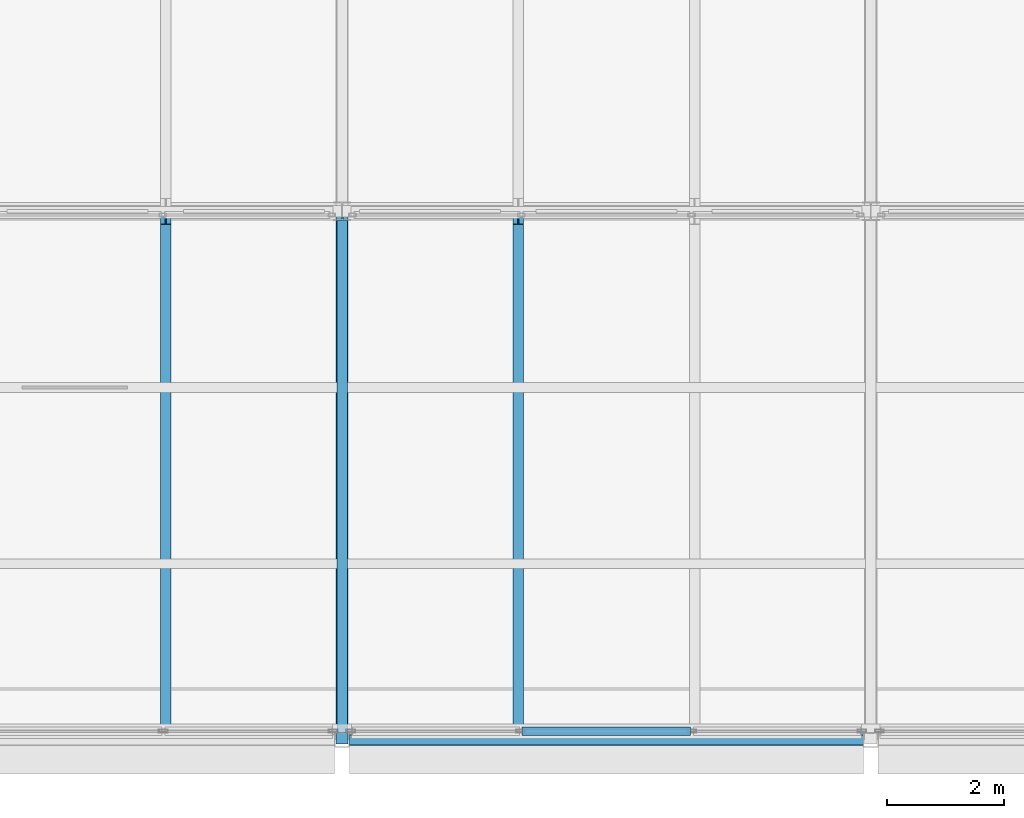
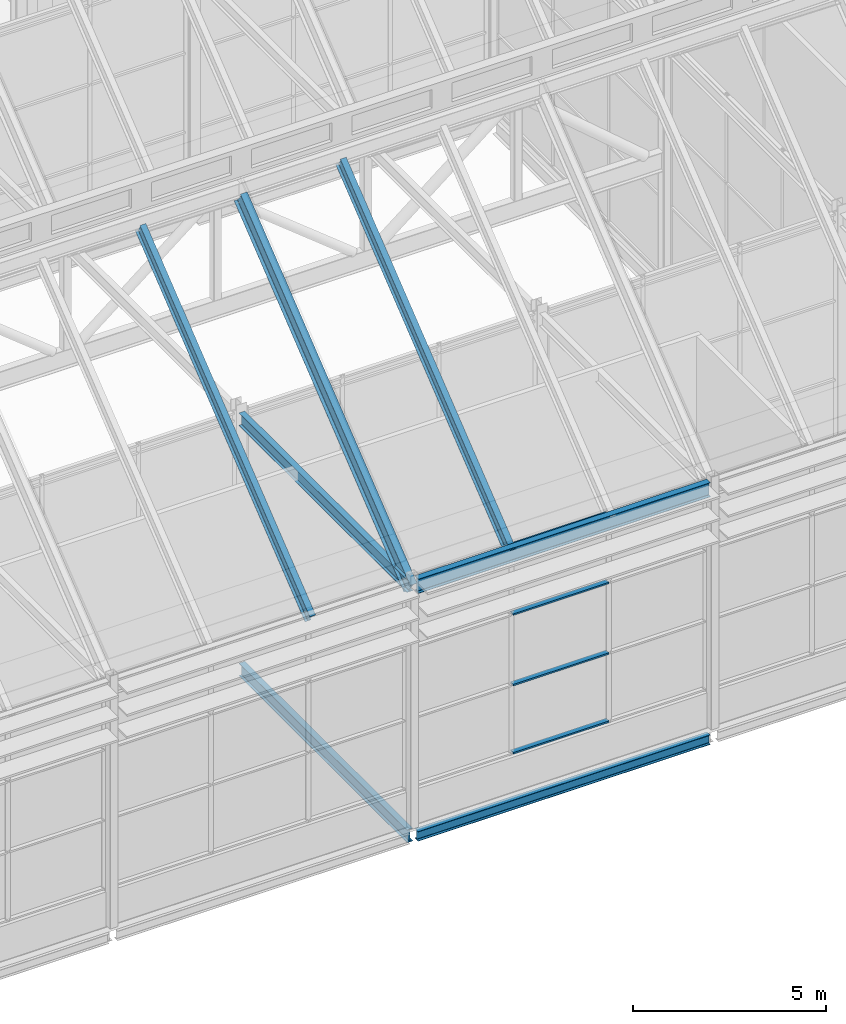
# One storey, part 52 of 144: 7 members, 4 beams, 1 element without a shape of its own.
"""IFC4 building model written with IfcOpenShell, lengths in metres."""

from ifc_helpers import new_model, si_unit, direction, frame, origin, origin_2d, place, context, subcontext, project, spatial, hollow_rectangle, i_section, extrude, material, layer, layer_set, material_profile, profile_set, type_object, element, aggregate, save


model = new_model("IFC4")

# Units and contexts
model_context = context("Model", 3, precision=1e-05, world=origin(), true_north=direction((0.0, 1.0)))
body_context = subcontext(model_context, "Body", "Model", "MODEL_VIEW")
ifc_project = project(units=[si_unit("LENGTHUNIT", "METRE"), si_unit("AREAUNIT", "SQUARE_METRE"), si_unit("VOLUMEUNIT", "CUBIC_METRE"), si_unit("PLANEANGLEUNIT", "RADIAN"), si_unit("MASSUNIT", "GRAM", prefix="KILO")], contexts=[model_context])

# Site, building, storey
site_placement = place(None, origin())
site = spatial("IfcSite", under=ifc_project, at=site_placement, CompositionType="ELEMENT")
building_placement = place(site_placement, origin())
building = spatial("IfcBuilding", under=site, at=building_placement, Name="Shorebreak Coast Museum", CompositionType="ELEMENT")
storey_placement = place(building_placement, frame((0.0, 0.0, 36.0)))
storey = spatial("IfcBuildingStorey", under=building, at=storey_placement, Name="L06", CompositionType="ELEMENT", Elevation=36.0)

# Beams
ifc_material_1 = material(Name="Steel Grade 300", Category="steel")
ifc_material_profile_1 = material_profile(ifc_material_1, i_section(OverallWidth=0.166015625, OverallDepth=0.30712890625, WebThickness=0.006591796875, FlangeThickness=0.01171875, FilletRadius=0.011474609375, at=origin_2d()), Name="310UB46.2")
ifc_profile_set_1 = profile_set([ifc_material_profile_1], Name="Steel Grade 300")
beam_type_1 = type_object("IfcBeamType", Name="Floor girder east-west 310UB46.2", PredefinedType="BEAM", material=ifc_profile_set_1)
beam_1_placement = place(storey_placement, frame((90.125, 54.0, -0.32861328125), z_axis=(1.0, 0.0, 0.0), x_axis=(0.0, 1.0, 0.0)))
element("IfcBeam", 1, at=beam_1_placement, inside=storey, type_object=beam_type_1, Name="Floor girder east-west L06 11G", PredefinedType="BEAM", context=body_context, shape_type="SweptSolid", body=[
    extrude(i_section(OverallWidth=0.166015625, OverallDepth=0.30712890625, WebThickness=0.006591796875, FlangeThickness=0.01171875, FilletRadius=0.011474609375, at=origin_2d()), origin(), (0.0, 0.0, 1.0), 8.75),
])
ifc_material_2 = material(Name="Steel Grade 300", Category="steel")
ifc_material_profile_2 = material_profile(ifc_material_2, i_section(OverallWidth=0.177978515625, OverallDepth=0.406494140625, WebThickness=0.0078125, FlangeThickness=0.0126953125, FilletRadius=0.011474609375, at=origin_2d()), Name="410UB59.7")
ifc_profile_set_2 = profile_set([ifc_material_profile_2], Name="Steel Grade 300")
beam_type_2 = type_object("IfcBeamType", Name="Floor girder north-south 410UB59.7", PredefinedType="BEAM", material=ifc_profile_set_2)
beam_2_placement = place(storey_placement, frame((90.0, 54.125, -0.378173828125), z_axis=(0.0, 1.0, 0.0), x_axis=(-1.0, 0.0, 0.0)))
element("IfcBeam", 2, at=beam_2_placement, inside=storey, type_object=beam_type_2, Name="Floor girder north-south L06 11G", PredefinedType="BEAM", context=body_context, shape_type="SweptSolid", body=[
    extrude(i_section(OverallWidth=0.177978515625, OverallDepth=0.406494140625, WebThickness=0.0078125, FlangeThickness=0.0126953125, FilletRadius=0.011474609375, at=origin_2d()), origin(), (0.0, 0.0, 1.0), 8.7177734375),
])

# Members
ifc_material_3 = material(Name="Steel Grade 300", Category="steel")
ifc_material_profile_3 = material_profile(ifc_material_3, i_section(OverallWidth=0.177978515625, OverallDepth=0.402587890625, WebThickness=0.007568359375, FlangeThickness=0.010986328125, FilletRadius=0.011474609375, at=origin_2d()), Name="410UB53.7")
ifc_profile_set_3 = profile_set([ifc_material_profile_3], Name="Steel Grade 300")
member_type_1 = type_object("IfcMemberType", Name="Fold rafter 410UB53.7", PredefinedType="RAFTER", material=ifc_profile_set_3)
for number, where, z_axis, x_axis, name in (
    (3, (87.0, 62.905029296875, 14.610107421875), (0.0, -0.780866698312, -0.624697686459), (1.0, 0.0, 0.0), "Fold rafter FOLD-X line 1 12"),
    (4, (93.0, 62.905029296875, 14.610107421875), (0.0, -0.780866698312, -0.624697686459), (1.0, 0.0, 0.0), "Fold rafter FOLD-X line 1 14"),
):
    element("IfcMember", number, at=place(storey_placement, frame(where, z_axis=z_axis, x_axis=x_axis)), inside=storey, type_object=member_type_1, Name=name, PredefinedType="RAFTER", context=body_context, shape_type="SweptSolid", body=[
        extrude(i_section(OverallWidth=0.177978515625, OverallDepth=0.402587890625, WebThickness=0.007568359375, FlangeThickness=0.010986328125, FilletRadius=0.011474609375, at=origin_2d()), origin(), (0.0, 0.0, 1.0), 11.282470703125),
    ])
ifc_material_4 = material(Name="Steel Grade 300", Category="steel")
ifc_material_profile_4 = material_profile(ifc_material_4, i_section(OverallWidth=0.208984375, OverallDepth=0.5283203125, WebThickness=0.009521484375, FlangeThickness=0.01318359375, FilletRadius=0.013916015625, at=origin_2d()), Name="530UB82.0")
ifc_profile_set_4 = profile_set([ifc_material_profile_4], Name="Steel Grade 300")
member_type_2 = type_object("IfcMemberType", Name="Fold rib rafter 530UB82.0", PredefinedType="RAFTER", material=ifc_profile_set_4)
member_1_placement = place(storey_placement, frame((90.0, 62.905029296875, 14.52978515625), z_axis=(0.0, -0.780866698312, -0.624697686459), x_axis=(1.0, 0.0, 0.0)))
element("IfcMember", 5, at=member_1_placement, inside=storey, type_object=member_type_2, Name="Fold rib rafter FOLD-X line 1 13", PredefinedType="RAFTER", context=body_context, shape_type="SweptSolid", body=[
    extrude(i_section(OverallWidth=0.208984375, OverallDepth=0.5283203125, WebThickness=0.009521484375, FlangeThickness=0.01318359375, FilletRadius=0.013916015625, at=origin_2d()), origin(), (0.0, 0.0, 1.0), 11.282470703125),
])

# Beams
ifc_material_5 = material(Name="Steel Grade 300", Category="steel")
ifc_material_profile_5 = material_profile(ifc_material_5, i_section(OverallWidth=0.177978515625, OverallDepth=0.402587890625, WebThickness=0.007568359375, FlangeThickness=0.010986328125, FilletRadius=0.011474609375, at=origin_2d()), Name="410UB53.7")
ifc_profile_set_5 = profile_set([ifc_material_profile_5], Name="Steel Grade 300")
beam_type_3 = type_object("IfcBeamType", Name="Fold rib tie 410UB53.7", PredefinedType="BEAM", material=ifc_profile_set_5)
beam_3_placement = place(storey_placement, frame((90.0, 54.125, 7.54248046875), z_axis=(0.0, 1.0, 0.0), x_axis=(-1.0, 0.0, 0.0)))
element("IfcBeam", 6, at=beam_3_placement, inside=storey, type_object=beam_type_3, Name="Fold rib tie FOLD-X rib 11 G-H", PredefinedType="BEAM", context=body_context, shape_type="SweptSolid", body=[
    extrude(i_section(OverallWidth=0.177978515625, OverallDepth=0.402587890625, WebThickness=0.007568359375, FlangeThickness=0.010986328125, FilletRadius=0.011474609375, at=origin_2d()), origin(), (0.0, 0.0, 1.0), 8.7177734375),
])
ifc_material_6 = material(Name="Steel Grade 300", Category="steel")
ifc_material_profile_6 = material_profile(ifc_material_6, i_section(OverallWidth=0.18994140625, OverallDepth=0.453857421875, WebThickness=0.008544921875, FlangeThickness=0.0126953125, FilletRadius=0.011474609375, at=origin_2d()), Name="460UB67.1")
ifc_profile_set_6 = profile_set([ifc_material_profile_6], Name="Steel Grade 300")
beam_type_4 = type_object("IfcBeamType", Name="Fold valley girder 460UB67.1", PredefinedType="BEAM", material=ifc_profile_set_6)
beam_4_placement = place(storey_placement, frame((90.125, 54.0, 7.593017578125), z_axis=(1.0, 0.0, 0.0), x_axis=(0.0, 1.0, 0.0)))
element("IfcBeam", 7, at=beam_4_placement, inside=storey, type_object=beam_type_4, Name="Fold valley girder FOLD-X line G bay 11G", PredefinedType="BEAM", context=body_context, shape_type="SweptSolid", body=[
    extrude(i_section(OverallWidth=0.18994140625, OverallDepth=0.453857421875, WebThickness=0.008544921875, FlangeThickness=0.0126953125, FilletRadius=0.011474609375, at=origin_2d()), origin(), (0.0, 0.0, 1.0), 8.75),
])

# Curtain wall, members
ifc_material_7 = material(Name="Aluminium", Category="aluminium")
ifc_layer = layer(ifc_material_7, 0.14990234375)
ifc_layer_set = layer_set([ifc_layer], Name="Aluminium")
curtain_wall_type = type_object("IfcCurtainWallType", Name="Storefront curtain wall", PredefinedType="NOTDEFINED", material=ifc_layer_set)
curtain_wall_placement = place(storey_placement, origin())
curtain_wall = element("IfcCurtainWall", 8, at=curtain_wall_placement, inside=storey, type_object=curtain_wall_type, Name="Atrium Hall glazing L06 S 25", PredefinedType="NOTDEFINED")
ifc_material_8 = material(Name="Aluminium", Category="aluminium")
ifc_material_profile_7 = material_profile(ifc_material_8, hollow_rectangle(XDim=0.14990234375, YDim=0.050048828125, WallThickness=0.00390625, at=origin_2d()), Name="AL 50x150 RHS")
ifc_profile_set_7 = profile_set([ifc_material_profile_7], Name="Aluminium")
member_type_3 = type_object("IfcMemberType", Name="Storefront transom 150 x 50", PredefinedType="USERDEFINED", material=ifc_profile_set_7)
member_2_placement = place(storey_placement, frame((93.066650390625, 54.14990234375, 1.175048828125), z_axis=(1.0, 0.0, 0.0), x_axis=(0.0, 1.0, 0.0)))
member_2 = element("IfcMember", 9, at=member_2_placement, type_object=member_type_3, Name="CW5 transom 2.1", ObjectType="TRANSOM", PredefinedType="USERDEFINED", context=body_context, shape_type="SweptSolid", body=[
    extrude(hollow_rectangle(XDim=0.14990234375, YDim=0.050048828125, WallThickness=0.00390625, at=origin_2d()), origin(), (0.0, 0.0, 1.0), 2.86669921875),
])
member_3_placement = place(storey_placement, frame((93.066650390625, 54.14990234375, 3.333251953125), z_axis=(1.0, 0.0, 0.0), x_axis=(0.0, 1.0, 0.0)))
member_3 = element("IfcMember", 10, at=member_3_placement, type_object=member_type_3, Name="CW5 transom 2.2", ObjectType="TRANSOM", PredefinedType="USERDEFINED", context=body_context, shape_type="SweptSolid", body=[
    extrude(hollow_rectangle(XDim=0.14990234375, YDim=0.050048828125, WallThickness=0.00390625, at=origin_2d()), origin(), (0.0, 0.0, 1.0), 2.86669921875),
])
member_4_placement = place(storey_placement, frame((93.066650390625, 54.14990234375, 5.566650390625), z_axis=(1.0, 0.0, 0.0), x_axis=(0.0, 1.0, 0.0)))
member_4 = element("IfcMember", 11, at=member_4_placement, type_object=member_type_3, Name="CW5 transom 2.3", ObjectType="TRANSOM", PredefinedType="USERDEFINED", context=body_context, shape_type="SweptSolid", body=[
    extrude(hollow_rectangle(XDim=0.14990234375, YDim=0.050048828125, WallThickness=0.00390625, at=origin_2d()), origin(), (0.0, 0.0, 1.0), 2.86669921875),
])
member_5_placement = place(storey_placement, frame((93.066650390625, 54.14990234375, 7.72509765625), z_axis=(1.0, 0.0, 0.0), x_axis=(0.0, 1.0, 0.0)))
member_5 = element("IfcMember", 12, at=member_5_placement, type_object=member_type_3, Name="CW5 transom 2.4", ObjectType="TRANSOM", PredefinedType="USERDEFINED", context=body_context, shape_type="SweptSolid", body=[
    extrude(hollow_rectangle(XDim=0.14990234375, YDim=0.050048828125, WallThickness=0.00390625, at=origin_2d()), origin(), (0.0, 0.0, 1.0), 2.86669921875),
])
aggregate(curtain_wall, [member_2, member_3, member_4, member_5])

save(model, "model.ifc")
